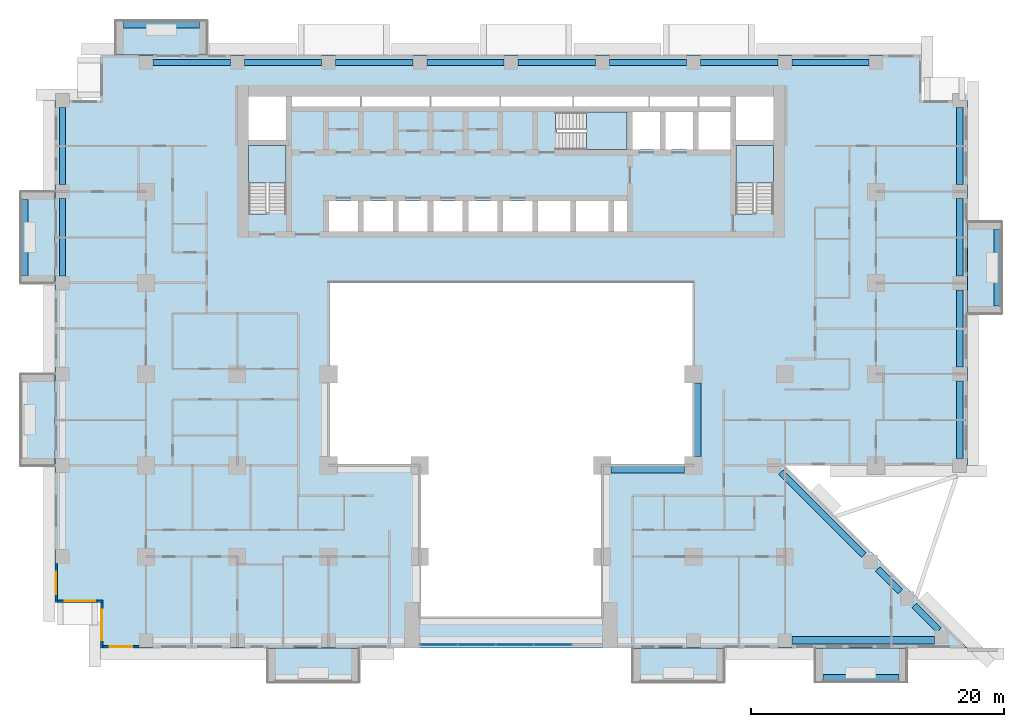
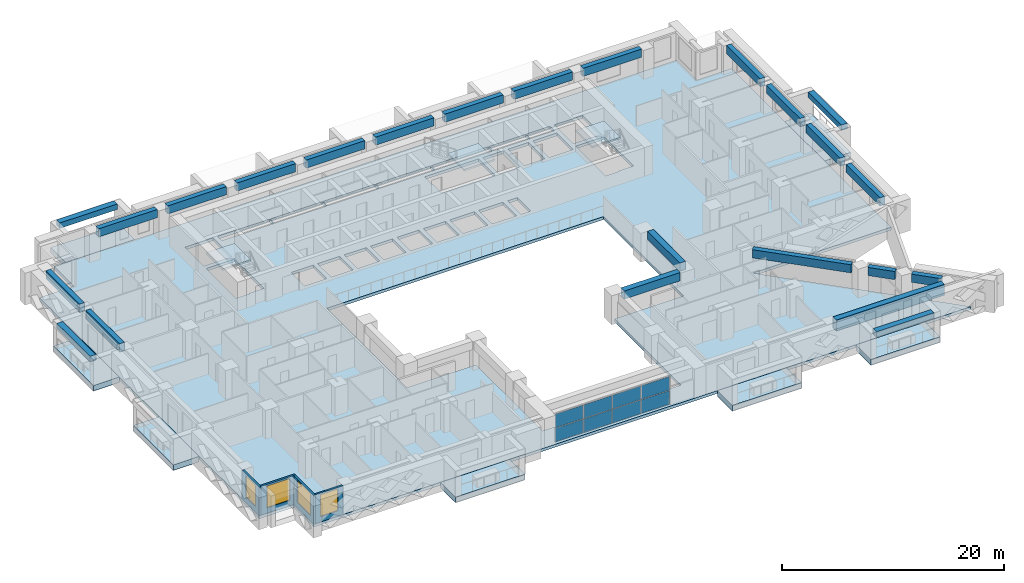
# One storey, part 5 of 17: 24 beams, 11 slabs, 8 plates, 4 walls, 4 windows, 4 openings, 4 elements without a shape of their own.
"""IFC4 building model written with IfcOpenShell, lengths in metres."""

from ifc_helpers import new_model, si_unit, direction, frame, frame_2d, origin, origin_2d, place, context, subcontext, project, spatial, polyline, rectangle, outline, extrude, source, transform, mapped, material, layer, layer_set, material_profile, profile_set, type_object, element, fill, aggregate, save


model = new_model("IFC4")

# Units and contexts
model_context = context("Model", 3, precision=1e-05, world=origin(), true_north=direction((0.0, 1.0)))
body_context = subcontext(model_context, "Body", "Model", "MODEL_VIEW")
ifc_project = project(units=[si_unit("LENGTHUNIT", "METRE"), si_unit("AREAUNIT", "SQUARE_METRE"), si_unit("VOLUMEUNIT", "CUBIC_METRE"), si_unit("PLANEANGLEUNIT", "RADIAN"), si_unit("MASSUNIT", "GRAM", prefix="KILO")], contexts=[model_context])

# Site, building, storey
site_placement = place(None, origin())
site = spatial("IfcSite", under=ifc_project, at=site_placement, CompositionType="ELEMENT")
building_placement = place(site_placement, origin())
building = spatial("IfcBuilding", under=site, at=building_placement, Name="Saffron Iwan Residences", CompositionType="ELEMENT")
storey_placement = place(building_placement, frame((0.0, 0.0, 37.5)))
storey = spatial("IfcBuildingStorey", under=building, at=storey_placement, Name="L08", CompositionType="ELEMENT", Elevation=37.5)

# Beams
ifc_material_1 = material(Name="Concrete C60/75", Category="concrete")
ifc_material_profile_1 = material_profile(ifc_material_1, rectangle(XDim=0.5, YDim=0.89990234375, at=origin_2d()), Name="RC 500x900")
ifc_profile_set_1 = profile_set([ifc_material_profile_1], Name="Concrete C60/75")
beam_type_1 = type_object("IfcBeamType", Name="SPANDREL BEAM RC 500x900 C60/75 TOP 3180", PredefinedType="SPANDREL", material=ifc_profile_set_1)
shared_shape_1 = source(origin(), body_context, "Body", "SweptSolid", [
    extrude(rectangle(XDim=0.5, YDim=0.89990234375, at=origin_2d()), origin(), (0.0, 0.0, 1.0), 6.10009765625),
])
for number, where, z_axis, x_axis, name in (
    (1, (85.800048828125, 61.85009765625, 2.72998046875), (0.0, -1.0, 0.0), (1.0, 0.0, 0.0), "Spandrel beam"),
    (2, (15.0, 62.949951171875, 2.72998046875), (0.0, 1.0, 0.0), (-1.0, 0.0, 0.0), "Spandrel beam"),
    (3, (85.800048828125, 69.050048828125, 2.72998046875), (0.0, -1.0, 0.0), (1.0, 0.0, 0.0), "Spandrel beam"),
    (4, (15.0, 70.14990234375, 2.72998046875), (0.0, 1.0, 0.0), (-1.0, 0.0, 0.0), "Spandrel beam"),
    (5, (85.800048828125, 76.25, 2.72998046875), (0.0, -1.0, 0.0), (1.0, 0.0, 0.0), "Spandrel beam"),
    (6, (22.14990234375, 79.800048828125, 2.72998046875), (1.0, 0.0, 0.0), (0.0, 1.0, 0.0), "Spandrel beam"),
    (7, (43.75, 79.800048828125, 2.72998046875), (1.0, 0.0, 0.0), (0.0, 1.0, 0.0), "Spandrel beam"),
    (8, (50.949951171875, 79.800048828125, 2.72998046875), (1.0, 0.0, 0.0), (0.0, 1.0, 0.0), "Spandrel beam"),
    (9, (58.14990234375, 79.800048828125, 2.72998046875), (1.0, 0.0, 0.0), (0.0, 1.0, 0.0), "Spandrel beam"),
):
    element("IfcBeam", number, at=place(storey_placement, frame(where, z_axis=z_axis, x_axis=x_axis)), inside=storey, type_object=beam_type_1, Name=name, PredefinedType="SPANDREL", context=body_context, shape_type="MappedRepresentation", body=[
        mapped(shared_shape_1, transform((0.0, 0.0, 0.0))),
    ])
shared_shape_2 = source(origin(), body_context, "Body", "SweptSolid", [
    extrude(rectangle(XDim=0.5, YDim=0.89990234375, at=origin_2d()), origin(), (0.0, 0.0, 1.0), 6.099853515625),
])
for number, where, z_axis, x_axis, name in (
    (10, (85.800048828125, 54.64990234375, 2.72998046875), (0.0, -1.0, 0.0), (1.0, 0.0, 0.0), "Spandrel beam"),
    (11, (29.35009765625, 79.800048828125, 2.72998046875), (1.0, 0.0, 0.0), (0.0, 1.0, 0.0), "Spandrel beam"),
    (12, (36.550048828125, 79.800048828125, 2.72998046875), (1.0, 0.0, 0.0), (0.0, 1.0, 0.0), "Spandrel beam"),
    (13, (65.35009765625, 79.800048828125, 2.72998046875), (1.0, 0.0, 0.0), (0.0, 1.0, 0.0), "Spandrel beam"),
    (14, (72.550048828125, 79.800048828125, 2.72998046875), (1.0, 0.0, 0.0), (0.0, 1.0, 0.0), "Spandrel beam"),
):
    element("IfcBeam", number, at=place(storey_placement, frame(where, z_axis=z_axis, x_axis=x_axis)), inside=storey, type_object=beam_type_1, Name=name, PredefinedType="SPANDREL", context=body_context, shape_type="MappedRepresentation", body=[
        mapped(shared_shape_2, transform((0.0, 0.0, 0.0))),
    ])
shared_shape_3 = source(origin(), body_context, "Body", "SweptSolid", [
    extrude(rectangle(XDim=0.5, YDim=0.89990234375, at=origin_2d()), origin(), (0.0, 0.0, 1.0), 2.76318359375),
])
beam_1_placement = place(storey_placement, frame((82.205810546875, 36.94580078125, 2.72998046875), z_axis=(0.707106781187, -0.707106781187, 0.0), x_axis=(0.707106781187, 0.707106781187, 0.0)))
element("IfcBeam", 15, at=beam_1_placement, inside=storey, type_object=beam_type_1, Name="Spandrel beam", PredefinedType="SPANDREL", context=body_context, shape_type="MappedRepresentation", body=[
    mapped(shared_shape_3, transform((0.0, 0.0, 0.0))),
])
shared_shape_4 = source(origin(), body_context, "Body", "SweptSolid", [
    extrude(rectangle(XDim=0.5, YDim=0.89990234375, at=origin_2d()), origin(), (0.0, 0.0, 1.0), 2.517333984375),
])
beam_2_placement = place(storey_placement, frame((79.32568359375, 39.82568359375, 2.72998046875), z_axis=(0.707106781187, -0.707106781187, 0.0), x_axis=(0.707106781187, 0.707106781187, 0.0)))
element("IfcBeam", 16, at=beam_2_placement, inside=storey, type_object=beam_type_1, Name="Spandrel beam", PredefinedType="SPANDREL", context=body_context, shape_type="MappedRepresentation", body=[
    mapped(shared_shape_4, transform((0.0, 0.0, 0.0))),
])
shared_shape_5 = source(origin(), body_context, "Body", "SweptSolid", [
    extrude(rectangle(XDim=0.5, YDim=0.89990234375, at=origin_2d()), origin(), (0.0, 0.0, 1.0), 9.228759765625),
])
beam_3_placement = place(storey_placement, frame((71.699951171875, 47.451416015625, 2.72998046875), z_axis=(0.707120008149, -0.707093553977, 0.0), x_axis=(0.707093553977, 0.707120008149, 0.0)))
element("IfcBeam", 17, at=beam_3_placement, inside=storey, type_object=beam_type_1, Name="Spandrel beam", PredefinedType="SPANDREL", context=body_context, shape_type="MappedRepresentation", body=[
    mapped(shared_shape_5, transform((0.0, 0.0, 0.0))),
])
ifc_material_profile_2 = material_profile(ifc_material_1, rectangle(XDim=0.60009765625, YDim=1.199951171875, at=origin_2d()), Name="RC 600x1200")
ifc_profile_set_2 = profile_set([ifc_material_profile_2], Name="Concrete C60/75")
beam_type_2 = type_object("IfcBeamType", Name="LINTEL BEAM RC 600x1200 C60/75 TOP 3180", PredefinedType="LINTEL", material=ifc_profile_set_2)
shared_shape_6 = source(origin(), body_context, "Body", "SweptSolid", [
    extrude(rectangle(XDim=0.60009765625, YDim=1.199951171875, at=origin_2d()), origin(), (0.0, 0.0, 1.0), 11.267333984375),
])
beam_4_placement = place(storey_placement, frame((83.8173828125, 34.199951171875, 2.580078125), z_axis=(-1.0, 0.0, 0.0), x_axis=(0.0, -1.0, 0.0)))
element("IfcBeam", 18, at=beam_4_placement, inside=storey, type_object=beam_type_2, Name="Lintel beam over the iwan", PredefinedType="LINTEL", context=body_context, shape_type="MappedRepresentation", body=[
    mapped(shared_shape_6, transform((0.0, 0.0, 0.0))),
])
ifc_material_profile_3 = material_profile(ifc_material_1, rectangle(XDim=0.60009765625, YDim=0.89990234375, at=origin_2d()), Name="RC 600x900")
ifc_profile_set_3 = profile_set([ifc_material_profile_3], Name="Concrete C60/75")
beam_type_3 = type_object("IfcBeamType", Name="BEAM RC 600x900 C60/75 TOP 3180", PredefinedType="BEAM", material=ifc_profile_set_3)
shared_shape_7 = source(origin(), body_context, "Body", "SweptSolid", [
    extrude(rectangle(XDim=0.60009765625, YDim=0.89990234375, at=origin_2d()), origin(), (0.0, 0.0, 1.0), 5.800048828125),
])
for number, where, z_axis, x_axis, name in (
    (19, (64.10009765625, 47.699951171875, 2.72998046875), (-1.0, 0.0, 0.0), (0.0, -1.0, 0.0), "Atrium edge beam"),
    (20, (65.10009765625, 54.5, 2.72998046875), (0.0, -1.0, 0.0), (1.0, 0.0, 0.0), "Atrium edge beam"),
):
    element("IfcBeam", number, at=place(storey_placement, frame(where, z_axis=z_axis, x_axis=x_axis)), inside=storey, type_object=beam_type_3, Name=name, PredefinedType="BEAM", context=body_context, shape_type="MappedRepresentation", body=[
        mapped(shared_shape_7, transform((0.0, 0.0, 0.0))),
    ])
ifc_material_2 = material(Name="Concrete C50/60 white painted", Category="concrete")
ifc_material_profile_4 = material_profile(ifc_material_2, rectangle(XDim=0.60009765625, YDim=0.60009765625, at=origin_2d()), Name="BALCONY FASCIA BEAM 600 x 600")
ifc_profile_set_4 = profile_set([ifc_material_profile_4], Name="Concrete C50/60 white painted")
beam_type_4 = type_object("IfcBeamType", Name="BALCONY FASCIA BEAM 600 x 600", PredefinedType="BEAM", material=ifc_profile_set_4)
shared_shape_8 = source(origin(), body_context, "Body", "SweptSolid", [
    extrude(rectangle(XDim=0.60009765625, YDim=0.60009765625, at=origin_2d()), origin(), (0.0, 0.0, 1.0), 6.0),
])
for number, where, z_axis, x_axis, name in (
    (21, (88.800048828125, 60.60009765625, 2.550048828125), (0.0, 1.0, 0.0), (-1.0, 0.0, 0.0), "Balcony fascia beam L08 F2-0"),
    (22, (25.800048828125, 82.800048828125, 2.550048828125), (-1.0, 0.0, 0.0), (0.0, -1.0, 0.0), "Balcony fascia beam L08 F5-3"),
    (23, (12.0, 69.0, 2.550048828125), (0.0, -1.0, 0.0), (1.0, 0.0, 0.0), "Balcony fascia beam L08 F8-0"),
    (24, (75.0, 31.199951171875, 2.550048828125), (1.0, 0.0, 0.0), (0.0, 1.0, 0.0), "Balcony fascia beam L08 11-2"),
):
    element("IfcBeam", number, at=place(storey_placement, frame(where, z_axis=z_axis, x_axis=x_axis)), inside=storey, type_object=beam_type_4, Name=name, PredefinedType="BEAM", context=body_context, shape_type="MappedRepresentation", body=[
        mapped(shared_shape_8, transform((0.0, 0.0, 0.0))),
    ])

# Slabs
ifc_layer_1 = layer(ifc_material_2, 0.60009765625)
ifc_layer_set_1 = layer_set([ifc_layer_1], Name="Concrete C50/60 white painted")
slab_type_1 = type_object("IfcSlabType", Name="BALCONY FRAME SLAB 600", PredefinedType="FLOOR", material=ifc_layer_set_1)
slab_1_placement = place(storey_placement, frame((0.0, 0.0, -0.60009765625)))
element("IfcSlab", 25, at=slab_1_placement, inside=storey, type_object=slab_type_1, Name="Balcony frame slab L08 F2-0", PredefinedType="FLOOR", context=body_context, shape_type="SweptSolid", body=[
    extrude(outline(polyline([(89.10009765625, 60.0), (89.10009765625, 67.199951171875), (86.39990234375, 67.199951171875), (86.39990234375, 60.0), (89.10009765625, 60.0)])), origin(), (0.0, 0.0, 1.0), 0.60009765625),
])
slab_2_placement = place(storey_placement, frame((0.0, 0.0, -0.60009765625)))
element("IfcSlab", 26, at=slab_2_placement, inside=storey, type_object=slab_type_1, Name="Balcony frame slab L08 F5-3", PredefinedType="FLOOR", context=body_context, shape_type="SweptSolid", body=[
    extrude(outline(polyline([(26.39990234375, 83.10009765625), (19.199951171875, 83.10009765625), (19.199951171875, 80.39990234375), (26.39990234375, 80.39990234375), (26.39990234375, 83.10009765625)])), origin(), (0.0, 0.0, 1.0), 0.60009765625),
])
slab_3_placement = place(storey_placement, frame((0.0, 0.0, -0.60009765625)))
element("IfcSlab", 27, at=slab_3_placement, inside=storey, type_object=slab_type_1, Name="Balcony frame slab L08 F8-0", PredefinedType="FLOOR", context=body_context, shape_type="SweptSolid", body=[
    extrude(outline(polyline([(11.699951171875, 69.60009765625), (11.699951171875, 62.39990234375), (14.39990234375, 62.39990234375), (14.39990234375, 69.60009765625), (11.699951171875, 69.60009765625)])), origin(), (0.0, 0.0, 1.0), 0.60009765625),
])
slab_4_placement = place(storey_placement, frame((0.0, 0.0, -0.60009765625)))
element("IfcSlab", 28, at=slab_4_placement, inside=storey, type_object=slab_type_1, Name="Balcony frame slab L08 F8-1", PredefinedType="FLOOR", context=body_context, shape_type="SweptSolid", body=[
    extrude(outline(polyline([(11.699951171875, 55.199951171875), (11.699951171875, 48.0), (14.39990234375, 48.0), (14.39990234375, 55.199951171875), (11.699951171875, 55.199951171875)])), origin(), (0.0, 0.0, 1.0), 0.60009765625),
])
slab_5_placement = place(storey_placement, frame((0.0, 0.0, -0.60009765625)))
element("IfcSlab", 29, at=slab_5_placement, inside=storey, type_object=slab_type_1, Name="Balcony frame slab L08 11-0", PredefinedType="FLOOR", context=body_context, shape_type="SweptSolid", body=[
    extrude(outline(polyline([(31.199951171875, 30.89990234375), (38.39990234375, 30.89990234375), (38.39990234375, 33.60009765625), (31.199951171875, 33.60009765625), (31.199951171875, 30.89990234375)])), origin(), (0.0, 0.0, 1.0), 0.60009765625),
])
slab_6_placement = place(storey_placement, frame((0.0, 0.0, -0.60009765625)))
element("IfcSlab", 30, at=slab_6_placement, inside=storey, type_object=slab_type_1, Name="Balcony frame slab L08 11-1", PredefinedType="FLOOR", context=body_context, shape_type="SweptSolid", body=[
    extrude(outline(polyline([(60.0, 30.89990234375), (67.199951171875, 30.89990234375), (67.199951171875, 33.60009765625), (60.0, 33.60009765625), (60.0, 30.89990234375)])), origin(), (0.0, 0.0, 1.0), 0.60009765625),
])
slab_7_placement = place(storey_placement, frame((0.0, 0.0, -0.60009765625)))
element("IfcSlab", 31, at=slab_7_placement, inside=storey, type_object=slab_type_1, Name="Balcony frame slab L08 11-2", PredefinedType="FLOOR", context=body_context, shape_type="SweptSolid", body=[
    extrude(outline(polyline([(74.39990234375, 30.89990234375), (81.60009765625, 30.89990234375), (81.60009765625, 33.60009765625), (74.39990234375, 33.60009765625), (74.39990234375, 30.89990234375)])), origin(), (0.0, 0.0, 1.0), 0.60009765625),
])
ifc_material_3 = material(Name="Concrete C40/50", Category="concrete")
ifc_layer_2 = layer(ifc_material_3, 0.320068359375)
ifc_layer_set_2 = layer_set([ifc_layer_2], Name="Concrete C40/50")
slab_type_2 = type_object("IfcSlabType", Name="PT PLATE 320 C40/50", PredefinedType="FLOOR", material=ifc_layer_set_2)
slab_8_placement = place(storey_placement, frame((0.0, 0.0, -0.320068359375)))
element("IfcSlab", 32, at=slab_8_placement, inside=storey, type_object=slab_type_2, Name="Floor slab L08", PredefinedType="FLOOR", context=body_context, shape_type="SweptSolid", body=[
    extrude(outline(polyline([(14.39990234375, 37.199951171875), (14.39990234375, 76.800048828125), (18.0, 76.800048828125), (18.0, 80.39990234375), (82.800048828125, 80.39990234375), (82.800048828125, 76.800048828125), (86.39990234375, 76.800048828125), (86.39990234375, 48.0), (72.0, 48.0), (86.39990234375, 33.60009765625), (18.0, 33.60009765625), (18.0, 37.199951171875), (14.39990234375, 37.199951171875)]), holes=[polyline([(64.800048828125, 48.0), (64.800048828125, 62.39990234375), (36.0, 62.39990234375), (36.0, 48.0), (43.199951171875, 48.0), (43.199951171875, 36.0), (57.60009765625, 36.0), (57.60009765625, 48.0), (64.800048828125, 48.0)]), polyline([(38.324951171875, 68.875), (36.02490234375, 68.875), (36.02490234375, 66.449951171875), (38.324951171875, 66.449951171875), (38.324951171875, 68.875)]), polyline([(41.074951171875, 66.449951171875), (41.074951171875, 68.875), (38.77490234375, 68.875), (38.77490234375, 66.449951171875), (41.074951171875, 66.449951171875)]), polyline([(43.824951171875, 66.449951171875), (43.824951171875, 68.875), (41.52490234375, 68.875), (41.52490234375, 66.449951171875), (43.824951171875, 66.449951171875)]), polyline([(46.574951171875, 68.875), (44.27490234375, 68.875), (44.27490234375, 66.449951171875), (46.574951171875, 66.449951171875), (46.574951171875, 68.875)]), polyline([(49.324951171875, 66.449951171875), (49.324951171875, 68.875), (47.02490234375, 68.875), (47.02490234375, 66.449951171875), (49.324951171875, 66.449951171875)]), polyline([(52.074951171875, 66.449951171875), (52.074951171875, 68.875), (49.77490234375, 68.875), (49.77490234375, 66.449951171875), (52.074951171875, 66.449951171875)]), polyline([(29.699951171875, 73.25), (29.699951171875, 67.949951171875), (29.699951171875, 67.8505859375), (31.10009765625, 67.8505859375), (31.10009765625, 67.949951171875), (32.64990234375, 67.949951171875), (32.64990234375, 73.25), (29.699951171875, 73.25)]), polyline([(32.64990234375, 73.699951171875), (32.64990234375, 77.10009765625), (29.699951171875, 77.10009765625), (29.699951171875, 73.699951171875), (32.64990234375, 73.699951171875)]), polyline([(38.5, 76.324951171875), (38.5, 77.10009765625), (33.10009765625, 77.10009765625), (33.10009765625, 76.324951171875), (38.5, 76.324951171875)]), polyline([(44.0, 77.10009765625), (38.60009765625, 77.10009765625), (38.60009765625, 76.324951171875), (44.0, 76.324951171875), (44.0, 77.10009765625)]), polyline([(49.5, 76.324951171875), (49.5, 77.10009765625), (44.10009765625, 77.10009765625), (44.10009765625, 76.324951171875), (49.5, 76.324951171875)]), polyline([(55.25, 76.324951171875), (55.25, 77.10009765625), (49.60009765625, 77.10009765625), (49.60009765625, 76.324951171875), (55.25, 76.324951171875)]), polyline([(55.074951171875, 68.875), (52.52490234375, 68.875), (52.52490234375, 66.449951171875), (55.074951171875, 66.449951171875), (55.074951171875, 68.875)]), polyline([(58.074951171875, 66.449951171875), (58.074951171875, 68.875), (55.52490234375, 68.875), (55.52490234375, 66.449951171875), (58.074951171875, 66.449951171875)]), polyline([(59.550048828125, 66.449951171875), (59.550048828125, 68.875), (58.52490234375, 68.875), (58.52490234375, 66.449951171875), (59.550048828125, 66.449951171875)]), polyline([(68.14990234375, 73.25), (68.14990234375, 67.949951171875), (68.14990234375, 67.8505859375), (69.550048828125, 67.8505859375), (69.550048828125, 67.949951171875), (71.10009765625, 67.949951171875), (71.10009765625, 73.25), (68.14990234375, 73.25)]), polyline([(53.925537109375, 74.47509765625), (54.02490234375, 74.47509765625), (54.02490234375, 72.925048828125), (59.550048828125, 72.925048828125), (59.550048828125, 75.875), (54.02490234375, 75.875), (53.925537109375, 75.875), (53.925537109375, 74.47509765625)]), polyline([(62.14990234375, 72.925048828125), (62.14990234375, 75.875), (60.0, 75.875), (60.0, 72.925048828125), (62.14990234375, 72.925048828125)]), polyline([(64.75, 75.875), (62.60009765625, 75.875), (62.60009765625, 72.925048828125), (64.75, 72.925048828125), (64.75, 75.875)]), polyline([(67.699951171875, 72.925048828125), (67.699951171875, 75.875), (65.199951171875, 75.875), (65.199951171875, 72.925048828125), (67.699951171875, 72.925048828125)]), polyline([(71.10009765625, 73.699951171875), (71.10009765625, 77.10009765625), (68.14990234375, 77.10009765625), (68.14990234375, 73.699951171875), (71.10009765625, 73.699951171875)]), polyline([(61.25, 77.10009765625), (55.35009765625, 77.10009765625), (55.35009765625, 76.324951171875), (61.25, 76.324951171875), (61.25, 77.10009765625)]), polyline([(65.14990234375, 76.324951171875), (65.14990234375, 77.10009765625), (61.35009765625, 77.10009765625), (61.35009765625, 76.324951171875), (65.14990234375, 76.324951171875)]), polyline([(67.699951171875, 76.324951171875), (67.699951171875, 77.10009765625), (65.25, 77.10009765625), (65.25, 76.324951171875), (67.699951171875, 76.324951171875)])]), origin(), (0.0, 0.0, 1.0), 0.320068359375),
])

# Stair, slab
ifc_material_4 = material(Name="Concrete C50/60", Category="concrete")
stair_type = type_object("IfcStairType", Name="Stair ST-CORE", PredefinedType="HALF_TURN_STAIR", material=ifc_material_4)
stair_1_placement = place(storey_placement, origin())
stair_1 = element("IfcStair", 33, at=stair_1_placement, inside=storey, type_object=stair_type, Name="L08 Exit Stair ST-W", PredefinedType="HALF_TURN_STAIR")
ifc_layer_3 = layer(ifc_material_4, 0.199951171875)
ifc_layer_set_3 = layer_set([ifc_layer_3], Name="Concrete C50/60")
slab_type_3 = type_object("IfcSlabType", Name="Stair landing SL-RC", PredefinedType="LANDING", material=ifc_layer_set_3)
slab_9_placement = place(storey_placement, frame((0.0, 0.0, 1.5498046875)))
slab_9 = element("IfcSlab", 34, at=slab_9_placement, type_object=slab_type_3, Name="ST-W landing 1", PredefinedType="LANDING", context=body_context, shape_type="SweptSolid", body=[
    extrude(outline(polyline([(32.64990234375, 70.280029296875), (32.64990234375, 73.25), (29.699951171875, 73.25), (29.699951171875, 70.280029296875), (32.64990234375, 70.280029296875)])), origin(), (0.0, 0.0, 1.0), 0.2001953125),
])
aggregate(stair_1, [slab_9])

stair_2_placement = place(storey_placement, origin())
stair_2 = element("IfcStair", 35, at=stair_2_placement, inside=storey, type_object=stair_type, Name="L08 Exit Stair ST-C", PredefinedType="HALF_TURN_STAIR")
slab_10_placement = place(storey_placement, frame((0.0, 0.0, 1.5498046875)))
slab_10 = element("IfcSlab", 36, at=slab_10_placement, type_object=slab_type_3, Name="ST-C landing 1", PredefinedType="LANDING", context=body_context, shape_type="SweptSolid", body=[
    extrude(outline(polyline([(56.35498046875, 72.925048828125), (59.550048828125, 72.925048828125), (59.550048828125, 75.875), (56.35498046875, 75.875), (56.35498046875, 72.925048828125)])), origin(), (0.0, 0.0, 1.0), 0.2001953125),
])
aggregate(stair_2, [slab_10])

stair_3_placement = place(storey_placement, origin())
stair_3 = element("IfcStair", 37, at=stair_3_placement, inside=storey, type_object=stair_type, Name="L08 Exit Stair ST-E", PredefinedType="HALF_TURN_STAIR")
slab_11_placement = place(storey_placement, frame((0.0, 0.0, 1.5498046875)))
slab_11 = element("IfcSlab", 38, at=slab_11_placement, type_object=slab_type_3, Name="ST-E landing 1", PredefinedType="LANDING", context=body_context, shape_type="SweptSolid", body=[
    extrude(outline(polyline([(71.10009765625, 70.280029296875), (71.10009765625, 73.25), (68.14990234375, 73.25), (68.14990234375, 70.280029296875), (71.10009765625, 70.280029296875)])), origin(), (0.0, 0.0, 1.0), 0.2001953125),
])
aggregate(stair_3, [slab_11])

# Curtain wall, plates
ifc_material_5 = material(Name="Clear glass, laminated double glazed", Category="glass")
ifc_layer_4 = layer(ifc_material_5, 0.199951171875)
ifc_layer_set_4 = layer_set([ifc_layer_4], Name="Clear glass, laminated double glazed")
curtain_wall_type = type_object("IfcCurtainWallType", Name="CW-B IWAN PORTAL", PredefinedType="NOTDEFINED", material=ifc_layer_set_4)
curtain_wall_placement = place(storey_placement, origin())
curtain_wall = element("IfcCurtainWall", 39, at=curtain_wall_placement, inside=storey, type_object=curtain_wall_type, Name="Iwan portal glazing L08.1", PredefinedType="NOTDEFINED")
ifc_layer_5 = layer(ifc_material_5, 0.028076171875)
ifc_layer_set_5 = layer_set([ifc_layer_5], Name="Clear glass, laminated double glazed")
plate_type = type_object("IfcPlateType", Name="CW-B PANEL 28", PredefinedType="CURTAIN_PANEL", material=ifc_layer_set_5)
shared_shape_9 = source(origin(), body_context, "Body", "SweptSolid", [
    extrude(rectangle(XDim=2.909912109375, YDim=0.028076171875, at=origin_2d()), origin(), (0.0, 0.0, 1.0), 1.5),
])
plate_1_placement = place(storey_placement, frame((44.715087890625, 33.85009765625, 0.06005859375), z_axis=(0.0, 0.0, 1.0), x_axis=(1.0, 0.0, 0.0)))
plate_1 = element("IfcPlate", 40, at=plate_1_placement, type_object=plate_type, Name="CW-B panel 1.1", PredefinedType="CURTAIN_PANEL", context=body_context, shape_type="MappedRepresentation", body=[
    mapped(shared_shape_9, transform((0.0, 0.0, 0.0))),
])
plate_2_placement = place(storey_placement, frame((44.715087890625, 33.85009765625, 1.6201171875), z_axis=(0.0, 0.0, 1.0), x_axis=(1.0, 0.0, 0.0)))
plate_2 = element("IfcPlate", 41, at=plate_2_placement, type_object=plate_type, Name="CW-B panel 1.2", PredefinedType="CURTAIN_PANEL", context=body_context, shape_type="MappedRepresentation", body=[
    mapped(shared_shape_9, transform((0.0, 0.0, 0.0))),
])
plate_3_placement = place(storey_placement, frame((53.68505859375, 33.85009765625, 0.06005859375), z_axis=(0.0, 0.0, 1.0), x_axis=(1.0, 0.0, 0.0)))
plate_3 = element("IfcPlate", 42, at=plate_3_placement, type_object=plate_type, Name="CW-B panel 4.1", PredefinedType="CURTAIN_PANEL", context=body_context, shape_type="MappedRepresentation", body=[
    mapped(shared_shape_9, transform((0.0, 0.0, 0.0))),
])
plate_4_placement = place(storey_placement, frame((53.68505859375, 33.85009765625, 1.6201171875), z_axis=(0.0, 0.0, 1.0), x_axis=(1.0, 0.0, 0.0)))
plate_4 = element("IfcPlate", 43, at=plate_4_placement, type_object=plate_type, Name="CW-B panel 4.2", PredefinedType="CURTAIN_PANEL", context=body_context, shape_type="MappedRepresentation", body=[
    mapped(shared_shape_9, transform((0.0, 0.0, 0.0))),
])
shared_shape_10 = source(origin(), body_context, "Body", "SweptSolid", [
    extrude(rectangle(XDim=2.93994140625, YDim=0.028076171875, at=origin_2d()), origin(), (0.0, 0.0, 1.0), 1.5),
])
plate_5_placement = place(storey_placement, frame((47.699951171875, 33.85009765625, 0.06005859375), z_axis=(0.0, 0.0, 1.0), x_axis=(1.0, 0.0, 0.0)))
plate_5 = element("IfcPlate", 44, at=plate_5_placement, type_object=plate_type, Name="CW-B panel 2.1", PredefinedType="CURTAIN_PANEL", context=body_context, shape_type="MappedRepresentation", body=[
    mapped(shared_shape_10, transform((0.0, 0.0, 0.0))),
])
plate_6_placement = place(storey_placement, frame((47.699951171875, 33.85009765625, 1.6201171875), z_axis=(0.0, 0.0, 1.0), x_axis=(1.0, 0.0, 0.0)))
plate_6 = element("IfcPlate", 45, at=plate_6_placement, type_object=plate_type, Name="CW-B panel 2.2", PredefinedType="CURTAIN_PANEL", context=body_context, shape_type="MappedRepresentation", body=[
    mapped(shared_shape_10, transform((0.0, 0.0, 0.0))),
])
plate_7_placement = place(storey_placement, frame((50.699951171875, 33.85009765625, 0.06005859375), z_axis=(0.0, 0.0, 1.0), x_axis=(1.0, 0.0, 0.0)))
plate_7 = element("IfcPlate", 46, at=plate_7_placement, type_object=plate_type, Name="CW-B panel 3.1", PredefinedType="CURTAIN_PANEL", context=body_context, shape_type="MappedRepresentation", body=[
    mapped(shared_shape_10, transform((0.0, 0.0, 0.0))),
])
plate_8_placement = place(storey_placement, frame((50.699951171875, 33.85009765625, 1.6201171875), z_axis=(0.0, 0.0, 1.0), x_axis=(1.0, 0.0, 0.0)))
plate_8 = element("IfcPlate", 47, at=plate_8_placement, type_object=plate_type, Name="CW-B panel 3.2", PredefinedType="CURTAIN_PANEL", context=body_context, shape_type="MappedRepresentation", body=[
    mapped(shared_shape_10, transform((0.0, 0.0, 0.0))),
])
aggregate(curtain_wall, [plate_1, plate_2, plate_5, plate_6, plate_7, plate_8, plate_3, plate_4])

# Wall, opening, window
ifc_layer_6 = layer(ifc_material_3, 0.199951171875)
ifc_layer_set_6 = layer_set([ifc_layer_6], Name="Concrete C40/50")
wall_type = type_object("IfcWallType", Name="EXTERNAL WALL 200", PredefinedType="SOLIDWALL", material=ifc_layer_set_6)
wall_1_placement = place(storey_placement, frame((14.5, 40.25, 0.0), z_axis=(0.0, 0.0, 1.0), x_axis=(0.0, -1.0, 0.0)))
wall_1 = element("IfcWall", 48, at=wall_1_placement, inside=storey, type_object=wall_type, Name="External wall L08 F8.5", PredefinedType="SOLIDWALL", context=body_context, shape_type="SweptSolid", body=[
    extrude(rectangle(XDim=3.050048828125, YDim=0.199951171875, at=frame_2d((1.52490234375, 0.0))), origin(), (0.0, 0.0, 1.0), 3.179931640625),
])
opening_1_placement = place(wall_1_placement, frame((0.625, 0.0, 0.60009765625)))
opening_1 = element("IfcOpeningElement", 49, at=opening_1_placement, cuts=wall_1, Name="Opening W8", PredefinedType="OPENING", context=body_context, shape_type="SweptSolid", body=[
    extrude(rectangle(XDim=1.800048828125, YDim=2.39990234375, at=frame_2d((0.89990234375, 1.199951171875))), frame((0.0, 0.10986328125, 0.0), z_axis=(0.0, -1.0, 0.0), x_axis=(1.0, 0.0, 0.0)), (0.0, 0.0, 1.0), 0.219970703125),
])
window_type_1 = type_object("IfcWindowType", Name="WINDOW 1800 x 2400", PartitioningType="DOUBLE_PANEL_VERTICAL", PredefinedType="WINDOW", material=ifc_material_5)
window_1_placement = place(opening_1_placement, origin())
window_1 = element("IfcWindow", 50, at=window_1_placement, inside=storey, type_object=window_type_1, Name="Window L08 F8.0", OverallHeight=2.39990234375, OverallWidth=1.800048828125, PartitioningType="DOUBLE_PANEL_VERTICAL", PredefinedType="WINDOW", context=body_context, shape_type="SweptSolid", body=[
    extrude(rectangle(XDim=1.800048828125, YDim=2.39990234375, at=frame_2d((0.89990234375, 1.199951171875))), frame((0.0, 0.030029296875, 0.0), z_axis=(0.0, -1.0, 0.0), x_axis=(1.0, 0.0, 0.0)), (0.0, 0.0, 1.0), 0.06005859375),
])
fill(opening_1, window_1)

wall_2_placement = place(storey_placement, frame((14.60009765625, 37.300048828125, 0.0), z_axis=(0.0, 0.0, 1.0), x_axis=(1.0, 0.0, 0.0)))
wall_2 = element("IfcWall", 51, at=wall_2_placement, inside=storey, type_object=wall_type, Name="External wall L08 F9.0", PredefinedType="SOLIDWALL", context=body_context, shape_type="SweptSolid", body=[
    extrude(rectangle(XDim=3.599853515625, YDim=0.199951171875, at=frame_2d((1.7998046875, 0.0))), origin(), (0.0, 0.0, 1.0), 3.179931640625),
])
opening_2_placement = place(wall_2_placement, frame((0.60009765625, 0.0, 0.60009765625)))
opening_2 = element("IfcOpeningElement", 52, at=opening_2_placement, cuts=wall_2, Name="Opening W1", PredefinedType="OPENING", context=body_context, shape_type="SweptSolid", body=[
    extrude(rectangle(XDim=2.39990234375, YDim=2.39990234375, at=frame_2d((1.199951171875, 1.199951171875))), frame((0.0, 0.10986328125, 0.0), z_axis=(0.0, -1.0, 0.0), x_axis=(1.0, 0.0, 0.0)), (0.0, 0.0, 1.0), 0.219970703125),
])
window_type_2 = type_object("IfcWindowType", Name="WINDOW 2400 x 2400", PartitioningType="DOUBLE_PANEL_VERTICAL", PredefinedType="WINDOW", material=ifc_material_5)
window_2_placement = place(opening_2_placement, origin())
window_2 = element("IfcWindow", 53, at=window_2_placement, inside=storey, type_object=window_type_2, Name="Window L08 F9.0", OverallHeight=2.39990234375, OverallWidth=2.39990234375, PartitioningType="DOUBLE_PANEL_VERTICAL", PredefinedType="WINDOW", context=body_context, shape_type="SweptSolid", body=[
    extrude(rectangle(XDim=2.39990234375, YDim=2.39990234375, at=frame_2d((1.199951171875, 1.199951171875))), frame((0.0, 0.030029296875, 0.0), z_axis=(0.0, -1.0, 0.0), x_axis=(1.0, 0.0, 0.0)), (0.0, 0.0, 1.0), 0.06005859375),
])
fill(opening_2, window_2)

wall_3_placement = place(storey_placement, frame((18.10009765625, 37.199951171875, 0.0), z_axis=(0.0, 0.0, 1.0), x_axis=(0.0, -1.0, 0.0)))
wall_3 = element("IfcWall", 54, at=wall_3_placement, inside=storey, type_object=wall_type, Name="External wall L08 F10.0", PredefinedType="SOLIDWALL", context=body_context, shape_type="SweptSolid", body=[
    extrude(rectangle(XDim=3.599853515625, YDim=0.199951171875, at=frame_2d((1.7998046875, 0.0))), origin(), (0.0, 0.0, 1.0), 3.179931640625),
])
opening_3_placement = place(wall_3_placement, frame((0.60009765625, 0.0, 0.60009765625)))
opening_3 = element("IfcOpeningElement", 55, at=opening_3_placement, cuts=wall_3, Name="Opening W1", PredefinedType="OPENING", context=body_context, shape_type="SweptSolid", body=[
    extrude(rectangle(XDim=2.39990234375, YDim=2.39990234375, at=frame_2d((1.199951171875, 1.199951171875))), frame((0.0, 0.10986328125, 0.0), z_axis=(0.0, -1.0, 0.0), x_axis=(1.0, 0.0, 0.0)), (0.0, 0.0, 1.0), 0.219970703125),
])
window_3_placement = place(opening_3_placement, origin())
window_3 = element("IfcWindow", 56, at=window_3_placement, inside=storey, type_object=window_type_2, Name="Window L08 F10.0", OverallHeight=2.39990234375, OverallWidth=2.39990234375, PartitioningType="DOUBLE_PANEL_VERTICAL", PredefinedType="WINDOW", context=body_context, shape_type="SweptSolid", body=[
    extrude(rectangle(XDim=2.39990234375, YDim=2.39990234375, at=frame_2d((1.199951171875, 1.199951171875))), frame((0.0, 0.030029296875, 0.0), z_axis=(0.0, -1.0, 0.0), x_axis=(1.0, 0.0, 0.0)), (0.0, 0.0, 1.0), 0.06005859375),
])
fill(opening_3, window_3)

wall_4_placement = place(storey_placement, frame((18.199951171875, 33.699951171875, 0.0), z_axis=(0.0, 0.0, 1.0), x_axis=(1.0, 0.0, 0.0)))
wall_4 = element("IfcWall", 57, at=wall_4_placement, inside=storey, type_object=wall_type, Name="External wall L08 F11.0", PredefinedType="SOLIDWALL", context=body_context, shape_type="SweptSolid", body=[
    extrude(rectangle(XDim=2.85009765625, YDim=0.199951171875, at=frame_2d((1.425048828125, 0.0))), origin(), (0.0, 0.0, 1.0), 3.179931640625),
])
opening_4_placement = place(wall_4_placement, frame((0.52490234375, 0.0, 0.60009765625)))
opening_4 = element("IfcOpeningElement", 58, at=opening_4_placement, cuts=wall_4, Name="Opening W8", PredefinedType="OPENING", context=body_context, shape_type="SweptSolid", body=[
    extrude(rectangle(XDim=1.800048828125, YDim=2.39990234375, at=frame_2d((0.89990234375, 1.199951171875))), frame((0.0, 0.10986328125, 0.0), z_axis=(0.0, -1.0, 0.0), x_axis=(1.0, 0.0, 0.0)), (0.0, 0.0, 1.0), 0.219970703125),
])
window_4_placement = place(opening_4_placement, origin())
window_4 = element("IfcWindow", 59, at=window_4_placement, inside=storey, type_object=window_type_1, Name="Window L08 F11.0", OverallHeight=2.39990234375, OverallWidth=1.800048828125, PartitioningType="DOUBLE_PANEL_VERTICAL", PredefinedType="WINDOW", context=body_context, shape_type="SweptSolid", body=[
    extrude(rectangle(XDim=1.800048828125, YDim=2.39990234375, at=frame_2d((0.89990234375, 1.199951171875))), frame((0.0, 0.030029296875, 0.0), z_axis=(0.0, -1.0, 0.0), x_axis=(1.0, 0.0, 0.0)), (0.0, 0.0, 1.0), 0.06005859375),
])
fill(opening_4, window_4)

save(model, "model.ifc")
